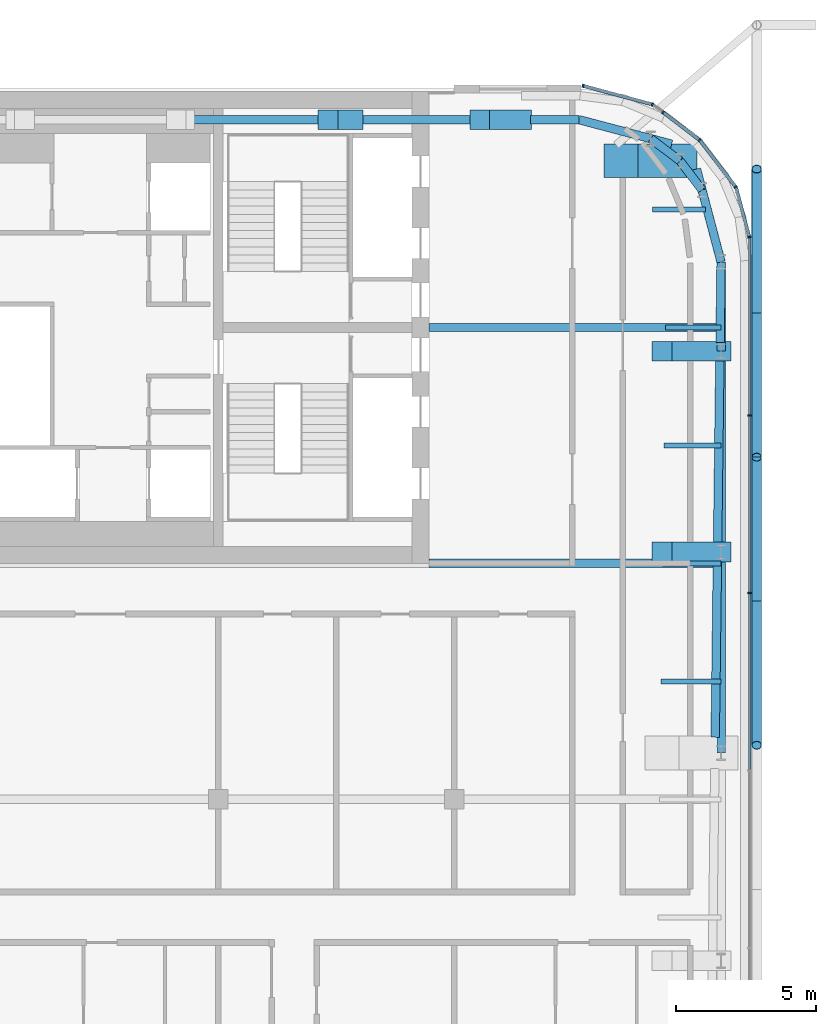
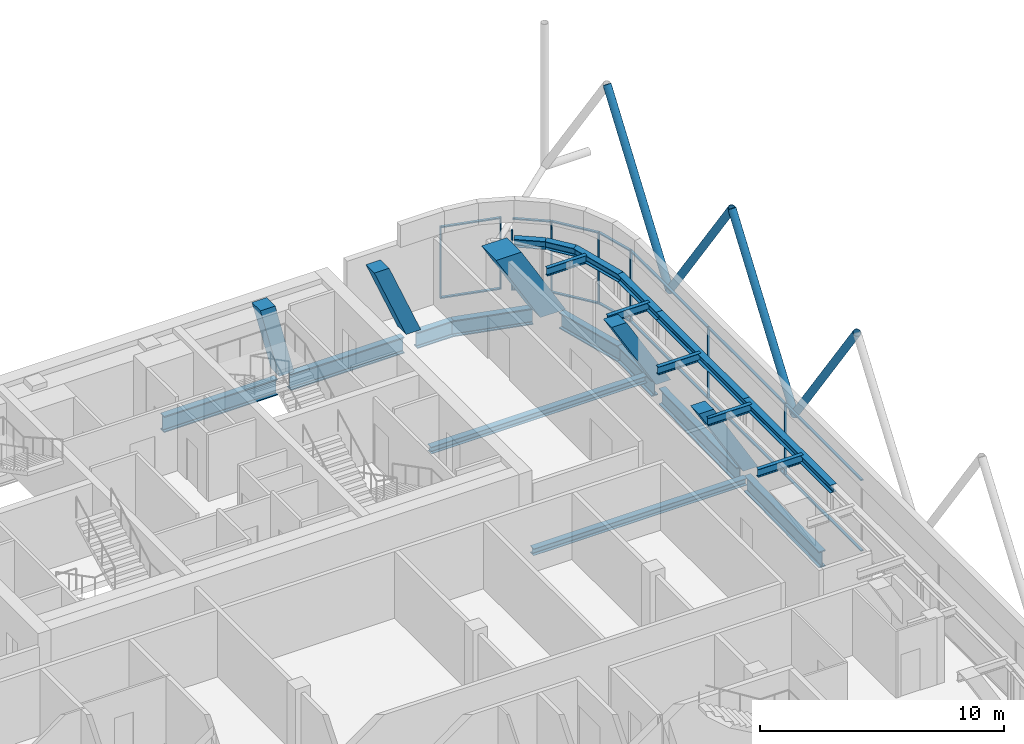
# One storey, part 11 of 25: 31 members, 21 beams, 6 elements without a shape of their own.
"""IFC4 building model written with IfcOpenShell, lengths in metres."""

import ifcopenshell
import ifcopenshell.guid

model = None  # the IFC model being written
_history = None  # IfcOwnerHistory: only IFC2X3 demands one
_inside = {}  # id of a spatial element -> (the spatial element, [elements in it])
_under = {}  # id of a project, library or spatial element -> (it, [spatial elements below it])
_declared = {}  # id of a project -> (the project, [libraries it declares])
_typed = {}  # id of a type object -> (the type object, [elements of that type])
_made_of = {}  # id of a material, layer set ... -> (it, [elements and type objects made of it])


def new_model(schema):
    """Start an empty IFC model of exactly this schema.

    Asked for "IFC4X3", IfcOpenShell would pick the latest addendum, in which some entities
    have other attributes; the version numbers below select the first issue.
    IFC2X3 requires an IfcOwnerHistory on every rooted entity: one is made here for all.
    """
    global model, _history
    if schema == "IFC4X3":
        model = ifcopenshell.file(schema_version=(4, 3, 0, 0))
    else:
        model = ifcopenshell.file(schema=schema)
    _inside.clear()
    _under.clear()
    _declared.clear()
    _typed.clear()
    _made_of.clear()
    _history = None
    if model.schema == "IFC2X3":
        org = make("IfcOrganization", Name="unknown")
        user = make(
            "IfcPersonAndOrganization",
            ThePerson=make("IfcPerson", FamilyName="unknown"),
            TheOrganization=org,
        )
        app = make(
            "IfcApplication",
            ApplicationDeveloper=org,
            Version="unknown",
            ApplicationFullName="unknown",
            ApplicationIdentifier="unknown",
        )
        _history = make(
            "IfcOwnerHistory",
            OwningUser=user,
            OwningApplication=app,
            ChangeAction="ADDED",
            CreationDate=0,
        )
    return model


def make(cls, **values):
    """One entity of the class cls with the attributes given. An attribute that is None is left unset."""
    return model.create_entity(
        cls, **{name: value for name, value in values.items() if value is not None}
    )


def rooted(cls, **values):
    """An entity with a GlobalId (a new one), such as an element, a storey or a relation."""
    return make(cls, GlobalId=ifcopenshell.guid.new(), OwnerHistory=_history, **values)


def si_unit(unit_type, name, prefix=None):
    """IfcSIUnit, for example si_unit("LENGTHUNIT", "METRE", prefix="MILLI")."""
    return make("IfcSIUnit", UnitType=unit_type, Prefix=prefix, Name=name)


def assignment(units):
    """IfcUnitAssignment: the units of a project."""
    return None if units is None else make("IfcUnitAssignment", Units=units)


def point(xyz):
    """IfcCartesianPoint."""
    return None if xyz is None else make("IfcCartesianPoint", Coordinates=xyz)


def direction(xyz):
    """IfcDirection."""
    return None if xyz is None else make("IfcDirection", DirectionRatios=xyz)


def frame(location, z_axis=None, x_axis=None):
    """IfcAxis2Placement3D, a coordinate frame: its origin and axes. An axis left out is left unset."""
    return make(
        "IfcAxis2Placement3D",
        Location=point(location),
        Axis=direction(z_axis),
        RefDirection=direction(x_axis),
    )


def frame_2d(location, x_axis=None):
    """IfcAxis2Placement2D, a coordinate frame in the plane: its origin and x axis."""
    return make(
        "IfcAxis2Placement2D", Location=point(location), RefDirection=direction(x_axis)
    )


def origin():
    """The frame at (0, 0, 0) with its axes left unset."""
    return frame((0.0, 0.0, 0.0))


def origin_2d():
    """The frame at (0, 0) in the plane with its x axis left unset."""
    return frame_2d((0.0, 0.0))


def place(relative_to, where):
    """IfcLocalPlacement: puts the frame where relative to a parent placement (None: the world)."""
    return make(
        "IfcLocalPlacement", PlacementRelTo=relative_to, RelativePlacement=where
    )


def context(
    kind, dimensions, precision=None, world=None, true_north=None, identifier=None
):
    """IfcGeometricRepresentationContext, for example the 3D "Model" context."""
    return make(
        "IfcGeometricRepresentationContext",
        ContextIdentifier=identifier,
        ContextType=kind,
        CoordinateSpaceDimension=dimensions,
        Precision=precision,
        WorldCoordinateSystem=world,
        TrueNorth=true_north,
    )


def subcontext(parent, identifier, kind, view, scale=None):
    """IfcGeometricRepresentationSubContext, for example "Body" below "Model"."""
    return make(
        "IfcGeometricRepresentationSubContext",
        ContextIdentifier=identifier,
        ContextType=kind,
        ParentContext=parent,
        TargetScale=scale,
        TargetView=view,
    )


def project(units=None, contexts=None):
    """IfcProject with its units and contexts."""
    return rooted(
        "IfcProject",
        Name="project",
        RepresentationContexts=contexts,
        UnitsInContext=assignment(units),
    )


def spatial(cls, under=None, at=None, **own):
    """A site, building, storey or space (cls), placed at a placement, below another one or the project."""
    s = rooted(cls, ObjectPlacement=at, **own)
    if under is not None:
        _under.setdefault(under.id(), (under, []))[1].append(s)
    return s


def profile(cls, at=None, kind="AREA", **sizes):
    """A parametric profile (cls). Its sizes go by their IFC names, for example OverallWidth=200.0."""
    return make(cls, ProfileType=kind, Position=at, **sizes)


def rectangle(**sizes):
    """IfcRectangleProfileDef."""
    return profile("IfcRectangleProfileDef", **sizes)


def hollow_circle(**sizes):
    """IfcCircleHollowProfileDef."""
    return profile("IfcCircleHollowProfileDef", **sizes)


def i_section(**sizes):
    """IfcIShapeProfileDef."""
    return profile("IfcIShapeProfileDef", **sizes)


def extrude(swept, where, along, depth):
    """IfcExtrudedAreaSolid: the profile swept, set in the frame where, extruded along a direction by depth."""
    return make(
        "IfcExtrudedAreaSolid",
        SweptArea=swept,
        Position=where,
        ExtrudedDirection=direction(along),
        Depth=depth,
    )


def shape(context_of_items, identifier, shape_type, items):
    """IfcShapeRepresentation: the items that make up one representation, for example the "Body"."""
    return make(
        "IfcShapeRepresentation",
        ContextOfItems=context_of_items,
        RepresentationIdentifier=identifier,
        RepresentationType=shape_type,
        Items=items,
    )


def material(Name=None, Category=None):
    """IfcMaterial."""
    return make("IfcMaterial", Name=Name, Category=Category)


def layer(
    of_material, thickness, ventilated=None, Name=None, Category=None, Priority=None
):
    """IfcMaterialLayer: one layer of a wall or slab, of a material (None: an air gap)."""
    return make(
        "IfcMaterialLayer",
        Material=of_material,
        LayerThickness=thickness,
        IsVentilated=ventilated,
        Name=Name,
        Category=Category,
        Priority=Priority,
    )


def layer_set(layers, Name=None):
    """IfcMaterialLayerSet."""
    return make("IfcMaterialLayerSet", MaterialLayers=layers, LayerSetName=Name)


def material_profile(
    of_material, cross_section, Name=None, Category=None, Priority=None
):
    """IfcMaterialProfile: a cross section and its material."""
    return make(
        "IfcMaterialProfile",
        Name=Name,
        Material=of_material,
        Profile=cross_section,
        Priority=Priority,
        Category=Category,
    )


def profile_set(profiles, Name=None, composite=None):
    """IfcMaterialProfileSet."""
    return make(
        "IfcMaterialProfileSet",
        Name=Name,
        MaterialProfiles=profiles,
        CompositeProfile=composite,
    )


def made_of(thing, what):
    """Note that an element or type object is made of a material, layer set ...; save() writes the relation."""
    if what is not None:
        _made_of.setdefault(what.id(), (what, []))[1].append(thing)
    return thing


def type_object(cls, material=None, **own):
    """A type object (cls), such as IfcWallType, which elements share."""
    return made_of(rooted(cls, **own), material)


def element(
    cls,
    number,
    at=None,
    inside=None,
    cuts=None,
    type_object=None,
    material=None,
    context=None,
    identifier="Body",
    shape_type=None,
    held_by="IfcProductDefinitionShape",
    body=None,
    shapes=None,
    **own,
):
    """One element of the class cls, such as IfcWall. Its Tag is "e" and its number.

    at: its placement. inside: the storey or other place that contains it. cuts: it is an
    opening in that element (IfcRelVoidsElement). A single representation is given by context,
    identifier, shape_type and body (its items); several are given by shapes. held_by: the class
    of the entity that holds the representations. save() writes the other relations.
    """
    e = rooted(cls, Tag="e%d" % number, ObjectPlacement=at, **own)
    if body is not None:
        shapes = [shape(context, identifier, shape_type, body)]
    if shapes is not None:
        e.Representation = make(held_by, Representations=shapes)
    if inside is not None:
        _inside.setdefault(inside.id(), (inside, []))[1].append(e)
    if cuts is not None:
        rooted(
            "IfcRelVoidsElement", RelatingBuildingElement=cuts, RelatedOpeningElement=e
        )
    if type_object is not None:
        _typed.setdefault(type_object.id(), (type_object, []))[1].append(e)
    return made_of(e, material)


def aggregate(whole, parts):
    """IfcRelAggregates: a whole, such as a stair, and the parts it consists of."""
    return rooted("IfcRelAggregates", RelatingObject=whole, RelatedObjects=parts)


def save(model, path):
    """Write the relations noted so far, then the file.

    IfcRelAggregates (storeys below a building ...), IfcRelContainedInSpatialStructure (elements
    in a storey), IfcRelDefinesByType, IfcRelAssociatesMaterial and IfcRelDeclares: one each for
    every whole, place, type object, material and project.
    """
    for whole, parts in _under.values():
        aggregate(whole, parts)
    for where, things in _inside.values():
        rooted(
            "IfcRelContainedInSpatialStructure",
            RelatedElements=things,
            RelatingStructure=where,
        )
    for kind, things in _typed.values():
        rooted("IfcRelDefinesByType", RelatedObjects=things, RelatingType=kind)
    for what, things in _made_of.values():
        rooted("IfcRelAssociatesMaterial", RelatedObjects=things, RelatingMaterial=what)
    for by, libraries in _declared.values():
        rooted("IfcRelDeclares", RelatingContext=by, RelatedDefinitions=libraries)
    model.write(path)


model = new_model("IFC4")

# Units and contexts
model_context = context("Model", 3, precision=1e-05, world=origin(), true_north=direction((0.0, 1.0)))
body_context = subcontext(model_context, "Body", "Model", "MODEL_VIEW")
ifc_project = project(units=[si_unit("LENGTHUNIT", "METRE"), si_unit("AREAUNIT", "SQUARE_METRE"), si_unit("VOLUMEUNIT", "CUBIC_METRE"), si_unit("PLANEANGLEUNIT", "RADIAN"), si_unit("MASSUNIT", "GRAM", prefix="KILO")], contexts=[model_context])

# Site, building, storey
site_placement = place(None, origin())
site = spatial("IfcSite", under=ifc_project, at=site_placement, CompositionType="ELEMENT")
building_placement = place(site_placement, origin())
building = spatial("IfcBuilding", under=site, at=building_placement, Name="Marenta Gate Hotel Tower", CompositionType="ELEMENT")
storey_placement = place(building_placement, frame((0.0, 0.0, 277.699951171875)))
storey = spatial("IfcBuildingStorey", under=building, at=storey_placement, Name="L64", CompositionType="ELEMENT", Elevation=277.699951171875)

# Members
ifc_material_1 = material(Name="Steel S355J2W", Category="steel")
ifc_material_profile_1 = material_profile(ifc_material_1, hollow_circle(Radius=0.177734375, WallThickness=0.01611328125, at=origin_2d()), Name="CHS 355.6x16")
ifc_profile_set_1 = profile_set([ifc_material_profile_1], Name="Steel S355J2W")
member_type_1 = type_object("IfcMemberType", Name="Diagrid diagonal C CHS 355.6x16", PredefinedType="BRACE", material=ifc_profile_set_1)
for number, where, z_axis, x_axis, name in (
    (1, (23.3701171875, 8.911376953125, 3.14013671875), (0.0, 0.580231970533, 0.81445126335), (-1.0, 0.0, 0.0), "L64-DG-2"),
    (2, (23.3701171875, 8.911376953125, 3.14013671875), (0.0, -0.580231970533, 0.81445126335), (1.0, 0.0, 0.0), "L64-DG-3"),
    (3, (23.3701171875, -1.347412109375, 3.14013671875), (0.0, 0.580231970533, 0.81445126335), (-1.0, 0.0, 0.0), "L64-DG-4"),
):
    element("IfcMember", number, at=place(storey_placement, frame(where, z_axis=z_axis, x_axis=x_axis)), inside=storey, type_object=member_type_1, Name=name, PredefinedType="BRACE", context=body_context, shape_type="SweptSolid", body=[
        extrude(hollow_circle(Radius=0.177734375, WallThickness=0.01611328125, at=origin_2d()), origin(), (0.0, 0.0, 1.0), 8.84033203125),
    ])
member_1_placement = place(storey_placement, frame((23.3701171875, -1.347412109375, 3.14013671875), z_axis=(0.0, -0.580213650922, 0.81446431431), x_axis=(1.0, 0.0, 0.0)))
element("IfcMember", 4, at=member_1_placement, inside=storey, type_object=member_type_1, Name="L64-DG-5", PredefinedType="BRACE", context=body_context, shape_type="SweptSolid", body=[
    extrude(hollow_circle(Radius=0.177734375, WallThickness=0.01611328125, at=origin_2d()), origin(), (0.0, 0.0, 1.0), 8.840087890625),
])

# Beams
ifc_material_2 = material(Name="Steel S355", Category="steel")
ifc_material_profile_2 = material_profile(ifc_material_2, i_section(OverallWidth=0.302978515625, OverallDepth=0.81396484375, WebThickness=0.030029296875, FlangeThickness=0.052001953125, FilletRadius=0.030029296875, at=origin_2d()), Name="HEM 800")
ifc_profile_set_2 = profile_set([ifc_material_profile_2], Name="Steel S355")
beam_type_1 = type_object("IfcBeamType", Name="Edge beam HEM 800", PredefinedType="SPANDREL", material=ifc_profile_set_2)
for number, where, z_axis, x_axis, name in (
    (5, (3.311279296875, 15.800048828125, -0.6669921875), (1.0, 0.0, 0.0), (0.0, 1.0, 0.0), "L64-EB-17"),
    (6, (9.314208984375, 15.800048828125, -0.6669921875), (1.0, 0.0, 0.0), (0.0, 1.0, 0.0), "L64-EB-18"),
):
    element("IfcBeam", number, at=place(storey_placement, frame(where, z_axis=z_axis, x_axis=x_axis)), inside=storey, type_object=beam_type_1, Name=name, PredefinedType="SPANDREL", context=body_context, shape_type="SweptSolid", body=[
        extrude(i_section(OverallWidth=0.302978515625, OverallDepth=0.81396484375, WebThickness=0.030029296875, FlangeThickness=0.052001953125, FilletRadius=0.030029296875, at=origin_2d()), origin(), (0.0, 0.0, 1.0), 5.3828125),
    ])
beam_1_placement = place(storey_placement, frame((15.31689453125, 15.800048828125, -0.6669921875), z_axis=(1.0, 0.0, 0.0), x_axis=(0.0, 1.0, 0.0)))
element("IfcBeam", 7, at=beam_1_placement, inside=storey, type_object=beam_type_1, Name="L64-EB-19", PredefinedType="SPANDREL", context=body_context, shape_type="SweptSolid", body=[
    extrude(i_section(OverallWidth=0.302978515625, OverallDepth=0.81396484375, WebThickness=0.030029296875, FlangeThickness=0.052001953125, FilletRadius=0.030029296875, at=origin_2d()), origin(), (0.0, 0.0, 1.0), 1.717529296875),
])
for number, where, z_axis, x_axis, name in (
    (8, (17.034423828125, 15.800048828125, -0.6669921875), (0.966766977759, -0.255659169039, 0.0), (0.255659169039, 0.966766977759, 0.0), "L64-EB-20"),
    (9, (21.225341796875, 14.042236328125, -0.6669921875), (0.255659169039, -0.966766977759, 0.0), (0.966766977759, 0.255659169039, 0.0), "L64-EB-21"),
):
    element("IfcBeam", number, at=place(storey_placement, frame(where, z_axis=z_axis, x_axis=x_axis)), inside=storey, type_object=beam_type_1, Name=name, PredefinedType="SPANDREL", context=body_context, shape_type="SweptSolid", body=[
        extrude(i_section(OverallWidth=0.302978515625, OverallDepth=0.81396484375, WebThickness=0.030029296875, FlangeThickness=0.052001953125, FilletRadius=0.030029296875, at=origin_2d()), origin(), (0.0, 0.0, 1.0), 3.421630859375),
    ])
beam_2_placement = place(storey_placement, frame((22.10009765625, 10.734375, -0.6669921875), z_axis=(-0.012342636833, -0.999923826757, 0.0), x_axis=(0.999923826757, -0.012342636833, 0.0)))
element("IfcBeam", 10, at=beam_2_placement, inside=storey, type_object=beam_type_1, Name="L64-EB-22", PredefinedType="SPANDREL", context=body_context, shape_type="SweptSolid", body=[
    extrude(i_section(OverallWidth=0.302978515625, OverallDepth=0.81396484375, WebThickness=0.030029296875, FlangeThickness=0.052001953125, FilletRadius=0.030029296875, at=origin_2d()), origin(), (0.0, 0.0, 1.0), 2.8681640625),
])
beam_3_placement = place(storey_placement, frame((22.056884765625, 7.246337890625, -0.6669921875), z_axis=(-0.012330900994, -0.99992397155, 0.0), x_axis=(0.99992397155, -0.012330900994, 0.0)))
element("IfcBeam", 11, at=beam_3_placement, inside=storey, type_object=beam_type_1, Name="L64-EB-23", PredefinedType="SPANDREL", context=body_context, shape_type="SweptSolid", body=[
    extrude(i_section(OverallWidth=0.302978515625, OverallDepth=0.81396484375, WebThickness=0.030029296875, FlangeThickness=0.052001953125, FilletRadius=0.030029296875, at=origin_2d()), origin(), (0.0, 0.0, 1.0), 6.53369140625),
])
beam_4_placement = place(storey_placement, frame((21.96875, 0.09326171875, -0.6669921875), z_axis=(-0.01235528937, -0.999923670499, 0.0), x_axis=(0.999923670499, -0.01235528937, 0.0)))
element("IfcBeam", 12, at=beam_4_placement, inside=storey, type_object=beam_type_1, Name="L64-EB-24", PredefinedType="SPANDREL", context=body_context, shape_type="SweptSolid", body=[
    extrude(i_section(OverallWidth=0.302978515625, OverallDepth=0.81396484375, WebThickness=0.030029296875, FlangeThickness=0.052001953125, FilletRadius=0.030029296875, at=origin_2d()), origin(), (0.0, 0.0, 1.0), 6.28369140625),
])

# Members
ifc_material_3 = material(Name="Concrete C50", Category="concrete")
ifc_material_profile_3 = material_profile(ifc_material_3, rectangle(XDim=0.699951171875, YDim=0.699951171875, at=origin_2d()), Name="700 x 700")
ifc_profile_set_3 = profile_set([ifc_material_profile_3], Name="Concrete C50")
member_type_2 = type_object("IfcMemberType", Name="Edge column raked 700 x 700 C50", PredefinedType="STRUT", material=ifc_profile_set_3)
member_2_placement = place(storey_placement, frame((9.004150390625, 15.800048828125, 0.0), z_axis=(0.0, 0.0, 1.0), x_axis=(1.0, 0.0, 0.0)))
element("IfcMember", 13, at=member_2_placement, inside=storey, type_object=member_type_2, Name="L64-EC-NW-NE-5", PredefinedType="STRUT", context=body_context, shape_type="SweptSolid", body=[
    extrude(rectangle(XDim=0.699951171875, YDim=0.699951171875, at=origin_2d()), origin(), (-0.242566584767, 0.0, 0.970134759688), 3.7109375),
])
member_3_placement = place(storey_placement, frame((15.0068359375, 15.800048828125, 0.0), z_axis=(0.0, 0.0, 1.0), x_axis=(1.0, 0.0, 0.0)))
element("IfcMember", 14, at=member_3_placement, inside=storey, type_object=member_type_2, Name="L64-EC-NW-NE-6", PredefinedType="STRUT", context=body_context, shape_type="SweptSolid", body=[
    extrude(rectangle(XDim=0.699951171875, YDim=0.699951171875, at=origin_2d()), origin(), (-0.384606494839, 0.0, 0.9230806271), 3.900146484375),
])
for number, where, z_axis, x_axis, name in (
    (15, (22.10009765625, 7.556396484375, 0.0), (0.0, 0.0, 1.0), (1.0, 0.0, 0.0), "L64-EC-NE-E-1"),
    (16, (22.10009765625, 0.4033203125, 0.0), (0.0, 0.0, 1.0), (1.0, 0.0, 0.0), "L64-EC-NE-E-2"),
):
    element("IfcMember", number, at=place(storey_placement, frame(where, z_axis=z_axis, x_axis=x_axis)), inside=storey, type_object=member_type_2, Name=name, PredefinedType="STRUT", context=body_context, shape_type="SweptSolid", body=[
        extrude(rectangle(XDim=0.699951171875, YDim=0.699951171875, at=origin_2d()), origin(), (-0.503878309678, 0.0, 0.863774651768), 4.16796875),
    ])

# Beams
ifc_material_4 = material(Name="Steel S355", Category="steel")
ifc_material_profile_4 = material_profile(ifc_material_4, i_section(OverallWidth=0.300048828125, OverallDepth=0.340087890625, WebThickness=0.011962890625, FlangeThickness=0.021484375, FilletRadius=0.027099609375, at=origin_2d()), Name="HEB 340")
ifc_profile_set_4 = profile_set([ifc_material_profile_4], Name="Steel S355")
beam_type_2 = type_object("IfcBeamType", Name="Girder HEB 340", PredefinedType="BEAM", material=ifc_profile_set_4)
beam_5_placement = place(storey_placement, frame((11.699951171875, 0.0, -0.429931640625), z_axis=(1.0, 0.0, 0.0), x_axis=(0.0, 1.0, 0.0)))
element("IfcBeam", 17, at=beam_5_placement, inside=storey, type_object=beam_type_2, Name="L64-GD-18", PredefinedType="BEAM", context=body_context, shape_type="SweptSolid", body=[
    extrude(i_section(OverallWidth=0.300048828125, OverallDepth=0.340087890625, WebThickness=0.011962890625, FlangeThickness=0.021484375, FilletRadius=0.027099609375, at=origin_2d()), origin(), (0.0, 0.0, 1.0), 10.115966796875),
])
beam_6_placement = place(storey_placement, frame((11.699951171875, 8.39990234375, -0.429931640625), z_axis=(1.0, 0.0, 0.0), x_axis=(0.0, 1.0, 0.0)))
element("IfcBeam", 18, at=beam_6_placement, inside=storey, type_object=beam_type_2, Name="L64-GD-20", PredefinedType="BEAM", context=body_context, shape_type="SweptSolid", body=[
    extrude(i_section(OverallWidth=0.300048828125, OverallDepth=0.340087890625, WebThickness=0.011962890625, FlangeThickness=0.021484375, FilletRadius=0.027099609375, at=origin_2d()), origin(), (0.0, 0.0, 1.0), 10.2197265625),
])

# Member
ifc_material_5 = material(Name="Concrete C50", Category="concrete")
ifc_material_profile_5 = material_profile(ifc_material_5, rectangle(XDim=1.199951171875, YDim=1.199951171875, at=origin_2d()), Name="1200 x 1200")
ifc_profile_set_5 = profile_set([ifc_material_profile_5], Name="Concrete C50")
member_type_3 = type_object("IfcMemberType", Name="Mega column raked 1200 x 1200 C50", PredefinedType="STRUT", material=ifc_profile_set_5)
member_4_placement = place(storey_placement, frame((20.635498046875, 14.33544921875, 0.0), z_axis=(0.0, 0.0, 1.0), x_axis=(1.0, 0.0, 0.0)))
element("IfcMember", 19, at=member_4_placement, inside=storey, type_object=member_type_3, Name="L64-MC-NE", PredefinedType="STRUT", context=body_context, shape_type="SweptSolid", body=[
    extrude(rectangle(XDim=1.199951171875, YDim=1.199951171875, at=origin_2d()), origin(), (-0.503878309678, 0.0, 0.863774651768), 4.16796875),
])

# Curtain wall, members
ifc_material_6 = material(Name="Tinted insulated glass in bronze anodised frame", Category="glass")
ifc_layer = layer(ifc_material_6, 0.1201171875)
ifc_layer_set = layer_set([ifc_layer], Name="Tinted insulated glass in bronze anodised frame")
curtain_wall_type = type_object("IfcCurtainWallType", Name="Tower unitised curtain wall CW1", PredefinedType="NOTDEFINED", material=ifc_layer_set)
curtain_wall_1_placement = place(storey_placement, origin())
curtain_wall_1 = element("IfcCurtainWall", 20, at=curtain_wall_1_placement, inside=storey, type_object=curtain_wall_type, Name="CW1 run G20", PredefinedType="NOTDEFINED")
ifc_material_7 = material(Name="Bronze anodised aluminium", Category="aluminium")
ifc_material_profile_6 = material_profile(ifc_material_7, rectangle(XDim=0.1201171875, YDim=0.06005859375, at=origin_2d()), Name="Mullion CW1 60x120 bronze anodised aluminium")
ifc_profile_set_6 = profile_set([ifc_material_profile_6], Name="Bronze anodised aluminium")
member_type_4 = type_object("IfcMemberType", Name="Mullion CW1 60x120 bronze anodised aluminium", PredefinedType="MULLION", material=ifc_profile_set_6)
member_5_placement = place(storey_placement, frame((23.114013671875, -1.053466796875, 0.0), z_axis=(0.0, 0.0, 1.0), x_axis=(-1.0, 0.0, 0.0)))
member_5 = element("IfcMember", 21, at=member_5_placement, type_object=member_type_4, Name="CW1 mullion 5", PredefinedType="MULLION", context=body_context, shape_type="SweptSolid", body=[
    extrude(rectangle(XDim=0.1201171875, YDim=0.06005859375, at=origin_2d()), origin(), (0.0, 0.0, 1.0), 3.60009765625),
])
member_6_placement = place(storey_placement, frame((23.114013671875, 5.269287109375, 0.0), z_axis=(0.0, 0.0, 1.0), x_axis=(-1.0, 0.0, 0.0)))
member_6 = element("IfcMember", 22, at=member_6_placement, type_object=member_type_4, Name="CW1 mullion 6", PredefinedType="MULLION", context=body_context, shape_type="SweptSolid", body=[
    extrude(rectangle(XDim=0.1201171875, YDim=0.06005859375, at=origin_2d()), origin(), (0.0, 0.0, 1.0), 3.60009765625),
])

# Curtain wall, member
curtain_wall_2_placement = place(storey_placement, origin())
curtain_wall_2 = element("IfcCurtainWall", 23, at=curtain_wall_2_placement, inside=storey, type_object=curtain_wall_type, Name="CW1 run G21", PredefinedType="NOTDEFINED")
member_7_placement = place(storey_placement, frame((23.106201171875, 11.620849609375, 0.0), z_axis=(0.0, 0.0, 1.0), x_axis=(-0.965924453932, -0.258824166754, 0.0)))
member_7 = element("IfcMember", 24, at=member_7_placement, type_object=member_type_4, Name="CW1 mullion 1", PredefinedType="MULLION", context=body_context, shape_type="SweptSolid", body=[
    extrude(rectangle(XDim=0.1201171875, YDim=0.06005859375, at=origin_2d()), origin(), (0.0, 0.0, 1.0), 3.60009765625),
])

curtain_wall_3_placement = place(storey_placement, origin())
curtain_wall_3 = element("IfcCurtainWall", 25, at=curtain_wall_3_placement, inside=storey, type_object=curtain_wall_type, Name="CW1 run G22", PredefinedType="NOTDEFINED")
member_8_placement = place(storey_placement, frame((22.615966796875, 13.40625, 0.0), z_axis=(0.0, 0.0, 1.0), x_axis=(-0.793333335233, -0.608787499222, 0.0)))
member_8 = element("IfcMember", 26, at=member_8_placement, type_object=member_type_4, Name="CW1 mullion 1", PredefinedType="MULLION", context=body_context, shape_type="SweptSolid", body=[
    extrude(rectangle(XDim=0.1201171875, YDim=0.06005859375, at=origin_2d()), origin(), (0.0, 0.0, 1.0), 3.60009765625),
])

curtain_wall_4_placement = place(storey_placement, origin())
curtain_wall_4 = element("IfcCurtainWall", 27, at=curtain_wall_4_placement, inside=storey, type_object=curtain_wall_type, Name="CW1 run G23", PredefinedType="NOTDEFINED")
member_9_placement = place(storey_placement, frame((21.328857421875, 15.07080078125, 0.0), z_axis=(0.0, 0.0, 1.0), x_axis=(-0.608825062123, -0.793304508831, 0.0)))
member_9 = element("IfcMember", 28, at=member_9_placement, type_object=member_type_4, Name="CW1 mullion 1", PredefinedType="MULLION", context=body_context, shape_type="SweptSolid", body=[
    extrude(rectangle(XDim=0.1201171875, YDim=0.06005859375, at=origin_2d()), origin(), (0.0, 0.0, 1.0), 3.60009765625),
])

curtain_wall_5_placement = place(storey_placement, origin())
curtain_wall_5 = element("IfcCurtainWall", 29, at=curtain_wall_5_placement, inside=storey, type_object=curtain_wall_type, Name="CW1 run G24", PredefinedType="NOTDEFINED")
member_10_placement = place(storey_placement, frame((20.033935546875, 16.064453125, 0.0), z_axis=(0.0, 0.0, 1.0), x_axis=(-0.608635492366, -0.793449958997, 0.0)))
member_10 = element("IfcMember", 30, at=member_10_placement, type_object=member_type_4, Name="CW1 mullion 1", PredefinedType="MULLION", context=body_context, shape_type="SweptSolid", body=[
    extrude(rectangle(XDim=0.1201171875, YDim=0.06005859375, at=origin_2d()), origin(), (0.0, 0.0, 1.0), 3.00048828125),
])
aggregate(curtain_wall_5, [member_10])

# Curtain wall, members
curtain_wall_6_placement = place(storey_placement, origin())
curtain_wall_6 = element("IfcCurtainWall", 31, at=curtain_wall_6_placement, inside=storey, type_object=curtain_wall_type, Name="CW1 run G25", PredefinedType="NOTDEFINED")
member_11_placement = place(storey_placement, frame((19.653564453125, 16.342041015625, 0.0), z_axis=(0.0, 0.0, 1.0), x_axis=(-0.258804895175, -0.96592961764, 0.0)))
member_11 = element("IfcMember", 32, at=member_11_placement, type_object=member_type_4, Name="CW1 mullion 1", PredefinedType="MULLION", context=body_context, shape_type="SweptSolid", body=[
    extrude(rectangle(XDim=0.1201171875, YDim=0.06005859375, at=origin_2d()), origin(), (0.0, 0.0, 1.0), 3.60009765625),
])
member_12_placement = place(storey_placement, frame((17.185546875, 17.003173828125, 0.0), z_axis=(0.0, 0.0, 1.0), x_axis=(-0.258804895175, -0.96592961764, 0.0)))
member_12 = element("IfcMember", 33, at=member_12_placement, type_object=member_type_4, Name="CW1 mullion 2", PredefinedType="MULLION", context=body_context, shape_type="SweptSolid", body=[
    extrude(rectangle(XDim=0.1201171875, YDim=0.06005859375, at=origin_2d()), origin(), (0.0, 0.0, 1.0), 3.60009765625),
])

# Beams
ifc_material_8 = material(Name="Steel S355", Category="steel")
ifc_material_profile_7 = material_profile(ifc_material_8, i_section(OverallWidth=0.179931640625, OverallDepth=0.39990234375, WebThickness=0.008544921875, FlangeThickness=0.013427734375, FilletRadius=0.02099609375, at=origin_2d()), Name="IPE 400")
ifc_profile_set_7 = profile_set([ifc_material_profile_7], Name="Steel S355")
beam_type_3 = type_object("IfcBeamType", Name="Terrace beam IPE 400", PredefinedType="JOIST", material=ifc_profile_set_7)
beam_7_placement = place(storey_placement, frame((19.966796875, -4.199951171875, 3.14013671875), z_axis=(1.0, 0.0, 0.0), x_axis=(0.0, 1.0, 0.0)))
element("IfcBeam", 34, at=beam_7_placement, inside=storey, type_object=beam_type_3, Name="L64-TB-6", PredefinedType="JOIST", context=body_context, shape_type="SweptSolid", body=[
    extrude(i_section(OverallWidth=0.179931640625, OverallDepth=0.39990234375, WebThickness=0.008544921875, FlangeThickness=0.013427734375, FilletRadius=0.02099609375, at=origin_2d()), origin(), (0.0, 0.0, 1.0), 2.13330078125),
])
beam_8_placement = place(storey_placement, frame((20.0185546875, 0.0, 3.14013671875), z_axis=(1.0, 0.0, 0.0), x_axis=(0.0, 1.0, 0.0)))
element("IfcBeam", 35, at=beam_8_placement, inside=storey, type_object=beam_type_3, Name="L64-TB-7", PredefinedType="JOIST", context=body_context, shape_type="SweptSolid", body=[
    extrude(i_section(OverallWidth=0.179931640625, OverallDepth=0.39990234375, WebThickness=0.008544921875, FlangeThickness=0.013427734375, FilletRadius=0.02099609375, at=origin_2d()), origin(), (0.0, 0.0, 1.0), 2.08154296875),
])
beam_9_placement = place(storey_placement, frame((20.0703125, 4.199951171875, 3.14013671875), z_axis=(1.0, 0.0, 0.0), x_axis=(0.0, 1.0, 0.0)))
element("IfcBeam", 36, at=beam_9_placement, inside=storey, type_object=beam_type_3, Name="L64-TB-8", PredefinedType="JOIST", context=body_context, shape_type="SweptSolid", body=[
    extrude(i_section(OverallWidth=0.179931640625, OverallDepth=0.39990234375, WebThickness=0.008544921875, FlangeThickness=0.013427734375, FilletRadius=0.02099609375, at=origin_2d()), origin(), (0.0, 0.0, 1.0), 2.02978515625),
])
beam_10_placement = place(storey_placement, frame((20.122314453125, 8.39990234375, 3.14013671875), z_axis=(1.0, 0.0, 0.0), x_axis=(0.0, 1.0, 0.0)))
element("IfcBeam", 37, at=beam_10_placement, inside=storey, type_object=beam_type_3, Name="L64-TB-9", PredefinedType="JOIST", context=body_context, shape_type="SweptSolid", body=[
    extrude(i_section(OverallWidth=0.179931640625, OverallDepth=0.39990234375, WebThickness=0.008544921875, FlangeThickness=0.013427734375, FilletRadius=0.02099609375, at=origin_2d()), origin(), (0.0, 0.0, 1.0), 1.977783203125),
])
beam_11_placement = place(storey_placement, frame((19.662841796875, 12.60009765625, 3.14013671875), z_axis=(1.0, 0.0, 0.0), x_axis=(0.0, 1.0, 0.0)))
element("IfcBeam", 38, at=beam_11_placement, inside=storey, type_object=beam_type_3, Name="L64-TB-10", PredefinedType="JOIST", context=body_context, shape_type="SweptSolid", body=[
    extrude(i_section(OverallWidth=0.179931640625, OverallDepth=0.39990234375, WebThickness=0.008544921875, FlangeThickness=0.013427734375, FilletRadius=0.02099609375, at=origin_2d()), origin(), (0.0, 0.0, 1.0), 1.884521484375),
])
ifc_material_9 = material(Name="Steel S355", Category="steel")
ifc_material_profile_8 = material_profile(ifc_material_9, i_section(OverallWidth=0.300048828125, OverallDepth=0.39990234375, WebThickness=0.013427734375, FlangeThickness=0.02392578125, FilletRadius=0.027099609375, at=origin_2d()), Name="HEB 400")
ifc_profile_set_8 = profile_set([ifc_material_profile_8], Name="Steel S355")
beam_type_4 = type_object("IfcBeamType", Name="Terrace edge beam HEB 400", PredefinedType="SPANDREL", material=ifc_profile_set_8)
for number, where, z_axis, x_axis, name in (
    (39, (19.595703125, 15.122802734375, 3.14013671875), (0.797228640923, -0.603677475223, 0.0), (0.603677475223, 0.797228640923, 0.0), "L64-TE-14"),
    (40, (20.635498046875, 14.33544921875, 3.14013671875), (0.603558484076, -0.79731872943, 0.0), (0.79731872943, 0.603558484076, 0.0), "L64-TE-15"),
):
    element("IfcBeam", number, at=place(storey_placement, frame(where, z_axis=z_axis, x_axis=x_axis)), inside=storey, type_object=beam_type_4, Name=name, PredefinedType="SPANDREL", context=body_context, shape_type="SweptSolid", body=[
        extrude(i_section(OverallWidth=0.300048828125, OverallDepth=0.39990234375, WebThickness=0.013427734375, FlangeThickness=0.02392578125, FilletRadius=0.027099609375, at=origin_2d()), origin(), (0.0, 0.0, 1.0), 1.30419921875),
    ])
beam_12_placement = place(storey_placement, frame((21.422607421875, 13.295654296875, 3.14013671875), z_axis=(0.255717790409, -0.96675147358, 0.0), x_axis=(0.96675147358, 0.255717790409, 0.0)))
element("IfcBeam", 41, at=beam_12_placement, inside=storey, type_object=beam_type_4, Name="L64-TE-16", PredefinedType="SPANDREL", context=body_context, shape_type="SweptSolid", body=[
    extrude(i_section(OverallWidth=0.300048828125, OverallDepth=0.39990234375, WebThickness=0.013427734375, FlangeThickness=0.02392578125, FilletRadius=0.027099609375, at=origin_2d()), origin(), (0.0, 0.0, 1.0), 2.6494140625),
])
beam_13_placement = place(storey_placement, frame((22.10009765625, 10.734375, 3.14013671875), z_axis=(0.0, -1.0, 0.0), x_axis=(1.0, 0.0, 0.0)))
element("IfcBeam", 42, at=beam_13_placement, inside=storey, type_object=beam_type_4, Name="L64-TE-17", PredefinedType="SPANDREL", context=body_context, shape_type="SweptSolid", body=[
    extrude(i_section(OverallWidth=0.300048828125, OverallDepth=0.39990234375, WebThickness=0.013427734375, FlangeThickness=0.02392578125, FilletRadius=0.027099609375, at=origin_2d()), origin(), (0.0, 0.0, 1.0), 3.177978515625),
])
beam_14_placement = place(storey_placement, frame((22.10009765625, 7.556396484375, 3.14013671875), z_axis=(0.0, -1.0, 0.0), x_axis=(1.0, 0.0, 0.0)))
element("IfcBeam", 43, at=beam_14_placement, inside=storey, type_object=beam_type_4, Name="L64-TE-18", PredefinedType="SPANDREL", context=body_context, shape_type="SweptSolid", body=[
    extrude(i_section(OverallWidth=0.300048828125, OverallDepth=0.39990234375, WebThickness=0.013427734375, FlangeThickness=0.02392578125, FilletRadius=0.027099609375, at=origin_2d()), origin(), (0.0, 0.0, 1.0), 7.153076171875),
])
beam_15_placement = place(storey_placement, frame((22.10009765625, 0.4033203125, 3.14013671875), z_axis=(0.0, -1.0, 0.0), x_axis=(1.0, 0.0, 0.0)))
element("IfcBeam", 44, at=beam_15_placement, inside=storey, type_object=beam_type_4, Name="L64-TE-19", PredefinedType="SPANDREL", context=body_context, shape_type="SweptSolid", body=[
    extrude(i_section(OverallWidth=0.300048828125, OverallDepth=0.39990234375, WebThickness=0.013427734375, FlangeThickness=0.02392578125, FilletRadius=0.027099609375, at=origin_2d()), origin(), (0.0, 0.0, 1.0), 7.1533203125),
])

# Member
ifc_material_10 = material(Name="Bronze anodised aluminium", Category="aluminium")
ifc_material_profile_9 = material_profile(ifc_material_10, rectangle(XDim=0.1201171875, YDim=0.06005859375, at=origin_2d()), Name="Transom CW1 60x120 bronze anodised aluminium")
ifc_profile_set_9 = profile_set([ifc_material_profile_9], Name="Bronze anodised aluminium")
member_type_5 = type_object("IfcMemberType", Name="Transom CW1 60x120 bronze anodised aluminium", PredefinedType="USERDEFINED", material=ifc_profile_set_9)
member_13_placement = place(storey_placement, frame((23.114013671875, -7.345947265625, 0.030029296875), z_axis=(0.0, 1.0, 0.0), x_axis=(-1.0, 0.0, 0.0)))
member_13 = element("IfcMember", 45, at=member_13_placement, type_object=member_type_5, Name="CW1 transom 4.1", ObjectType="TRANSOM", PredefinedType="USERDEFINED", context=body_context, shape_type="SweptSolid", body=[
    extrude(rectangle(XDim=0.1201171875, YDim=0.06005859375, at=origin_2d()), origin(), (0.0, 0.0, 1.0), 6.2626953125),
])

member_14_placement = place(storey_placement, frame((23.114013671875, -7.345947265625, 3.570068359375), z_axis=(0.0, 1.0, 0.0), x_axis=(-1.0, 0.0, 0.0)))
member_14 = element("IfcMember", 46, at=member_14_placement, type_object=member_type_5, Name="CW1 transom 4.2", ObjectType="TRANSOM", PredefinedType="USERDEFINED", context=body_context, shape_type="SweptSolid", body=[
    extrude(rectangle(XDim=0.1201171875, YDim=0.06005859375, at=origin_2d()), origin(), (0.0, 0.0, 1.0), 6.2626953125),
])

member_15_placement = place(storey_placement, frame((23.114013671875, -1.0234375, 0.030029296875), z_axis=(0.0, 1.0, 0.0), x_axis=(-1.0, 0.0, 0.0)))
member_15 = element("IfcMember", 47, at=member_15_placement, type_object=member_type_5, Name="CW1 transom 5.1", ObjectType="TRANSOM", PredefinedType="USERDEFINED", context=body_context, shape_type="SweptSolid", body=[
    extrude(rectangle(XDim=0.1201171875, YDim=0.06005859375, at=origin_2d()), origin(), (0.0, 0.0, 1.0), 6.2626953125),
])

member_16_placement = place(storey_placement, frame((23.114013671875, -1.0234375, 3.570068359375), z_axis=(0.0, 1.0, 0.0), x_axis=(-1.0, 0.0, 0.0)))
member_16 = element("IfcMember", 48, at=member_16_placement, type_object=member_type_5, Name="CW1 transom 5.2", ObjectType="TRANSOM", PredefinedType="USERDEFINED", context=body_context, shape_type="SweptSolid", body=[
    extrude(rectangle(XDim=0.1201171875, YDim=0.06005859375, at=origin_2d()), origin(), (0.0, 0.0, 1.0), 6.2626953125),
])

member_17_placement = place(storey_placement, frame((23.114013671875, 5.29931640625, 0.030029296875), z_axis=(0.0, 1.0, 0.0), x_axis=(-1.0, 0.0, 0.0)))
member_17 = element("IfcMember", 49, at=member_17_placement, type_object=member_type_5, Name="CW1 transom 6.1", ObjectType="TRANSOM", PredefinedType="USERDEFINED", context=body_context, shape_type="SweptSolid", body=[
    extrude(rectangle(XDim=0.1201171875, YDim=0.06005859375, at=origin_2d()), origin(), (0.0, 0.0, 1.0), 6.29248046875),
])

member_18_placement = place(storey_placement, frame((23.114013671875, 5.29931640625, 3.570068359375), z_axis=(0.0, 1.0, 0.0), x_axis=(-1.0, 0.0, 0.0)))
member_18 = element("IfcMember", 50, at=member_18_placement, type_object=member_type_5, Name="CW1 transom 6.2", ObjectType="TRANSOM", PredefinedType="USERDEFINED", context=body_context, shape_type="SweptSolid", body=[
    extrude(rectangle(XDim=0.1201171875, YDim=0.06005859375, at=origin_2d()), origin(), (0.0, 0.0, 1.0), 6.29248046875),
])

aggregate(curtain_wall_1, [member_5, member_6, member_13, member_14, member_15, member_16, member_17, member_18])

member_19_placement = place(storey_placement, frame((23.098388671875, 11.64990234375, 0.030029296875), z_axis=(-0.258738352989, 0.965947444063, 0.0), x_axis=(-0.965947444063, -0.258738352989, 0.0)))
member_19 = element("IfcMember", 51, at=member_19_placement, type_object=member_type_5, Name="CW1 transom 1.1", ObjectType="TRANSOM", PredefinedType="USERDEFINED", context=body_context, shape_type="SweptSolid", body=[
    extrude(rectangle(XDim=0.1201171875, YDim=0.06005859375, at=origin_2d()), origin(), (0.0, 0.0, 1.0), 1.793701171875),
])

member_20_placement = place(storey_placement, frame((23.098388671875, 11.64990234375, 3.570068359375), z_axis=(-0.258738352989, 0.965947444063, 0.0), x_axis=(-0.965947444063, -0.258738352989, 0.0)))
member_20 = element("IfcMember", 52, at=member_20_placement, type_object=member_type_5, Name="CW1 transom 1.2", ObjectType="TRANSOM", PredefinedType="USERDEFINED", context=body_context, shape_type="SweptSolid", body=[
    extrude(rectangle(XDim=0.1201171875, YDim=0.06005859375, at=origin_2d()), origin(), (0.0, 0.0, 1.0), 1.793701171875),
])

aggregate(curtain_wall_2, [member_7, member_19, member_20])

member_21_placement = place(storey_placement, frame((22.59765625, 13.43017578125, 0.030029296875), z_axis=(-0.608844993447, 0.79328921205, 0.0), x_axis=(-0.79328921205, -0.608844993447, 0.0)))
member_21 = element("IfcMember", 53, at=member_21_placement, type_object=member_type_5, Name="CW1 transom 1.1", ObjectType="TRANSOM", PredefinedType="USERDEFINED", context=body_context, shape_type="SweptSolid", body=[
    extrude(rectangle(XDim=0.1201171875, YDim=0.06005859375, at=origin_2d()), origin(), (0.0, 0.0, 1.0), 2.045166015625),
])

member_22_placement = place(storey_placement, frame((22.59765625, 13.43017578125, 3.570068359375), z_axis=(-0.608844993447, 0.79328921205, 0.0), x_axis=(-0.79328921205, -0.608844993447, 0.0)))
member_22 = element("IfcMember", 54, at=member_22_placement, type_object=member_type_5, Name="CW1 transom 1.2", ObjectType="TRANSOM", PredefinedType="USERDEFINED", context=body_context, shape_type="SweptSolid", body=[
    extrude(rectangle(XDim=0.1201171875, YDim=0.06005859375, at=origin_2d()), origin(), (0.0, 0.0, 1.0), 2.045166015625),
])

aggregate(curtain_wall_3, [member_8, member_21, member_22])

member_23_placement = place(storey_placement, frame((21.304931640625, 15.089111328125, 0.030029296875), z_axis=(-0.79324129416, 0.608907422553, 0.0), x_axis=(-0.608907422553, -0.79324129416, 0.0)))
member_23 = element("IfcMember", 55, at=member_23_placement, type_object=member_type_5, Name="CW1 transom 1.1", ObjectType="TRANSOM", PredefinedType="USERDEFINED", context=body_context, shape_type="SweptSolid", body=[
    extrude(rectangle(XDim=0.1201171875, YDim=0.06005859375, at=origin_2d()), origin(), (0.0, 0.0, 1.0), 1.572021484375),
])

member_24_placement = place(storey_placement, frame((21.304931640625, 15.089111328125, 3.570068359375), z_axis=(-0.79324129416, 0.608907422553, 0.0), x_axis=(-0.608907422553, -0.79324129416, 0.0)))
member_24 = element("IfcMember", 56, at=member_24_placement, type_object=member_type_5, Name="CW1 transom 1.2", ObjectType="TRANSOM", PredefinedType="USERDEFINED", context=body_context, shape_type="SweptSolid", body=[
    extrude(rectangle(XDim=0.1201171875, YDim=0.06005859375, at=origin_2d()), origin(), (0.0, 0.0, 1.0), 1.572021484375),
])

aggregate(curtain_wall_4, [member_9, member_23, member_24])

member_25_placement = place(storey_placement, frame((19.62451171875, 16.349609375, 0.030029296875), z_axis=(-0.965930582093, 0.258801295547, 0.0), x_axis=(-0.258801295547, -0.965930582093, 0.0)))
member_25 = element("IfcMember", 57, at=member_25_placement, type_object=member_type_5, Name="CW1 transom 1.1", ObjectType="TRANSOM", PredefinedType="USERDEFINED", context=body_context, shape_type="SweptSolid", body=[
    extrude(rectangle(XDim=0.1201171875, YDim=0.06005859375, at=origin_2d()), origin(), (0.0, 0.0, 1.0), 2.4951171875),
])

member_26_placement = place(storey_placement, frame((19.62451171875, 16.349609375, 3.570068359375), z_axis=(-0.965930582093, 0.258801295547, 0.0), x_axis=(-0.258801295547, -0.965930582093, 0.0)))
member_26 = element("IfcMember", 58, at=member_26_placement, type_object=member_type_5, Name="CW1 transom 1.2", ObjectType="TRANSOM", PredefinedType="USERDEFINED", context=body_context, shape_type="SweptSolid", body=[
    extrude(rectangle(XDim=0.1201171875, YDim=0.06005859375, at=origin_2d()), origin(), (0.0, 0.0, 1.0), 2.4951171875),
])

aggregate(curtain_wall_6, [member_11, member_12, member_25, member_26])

save(model, "model.ifc")
